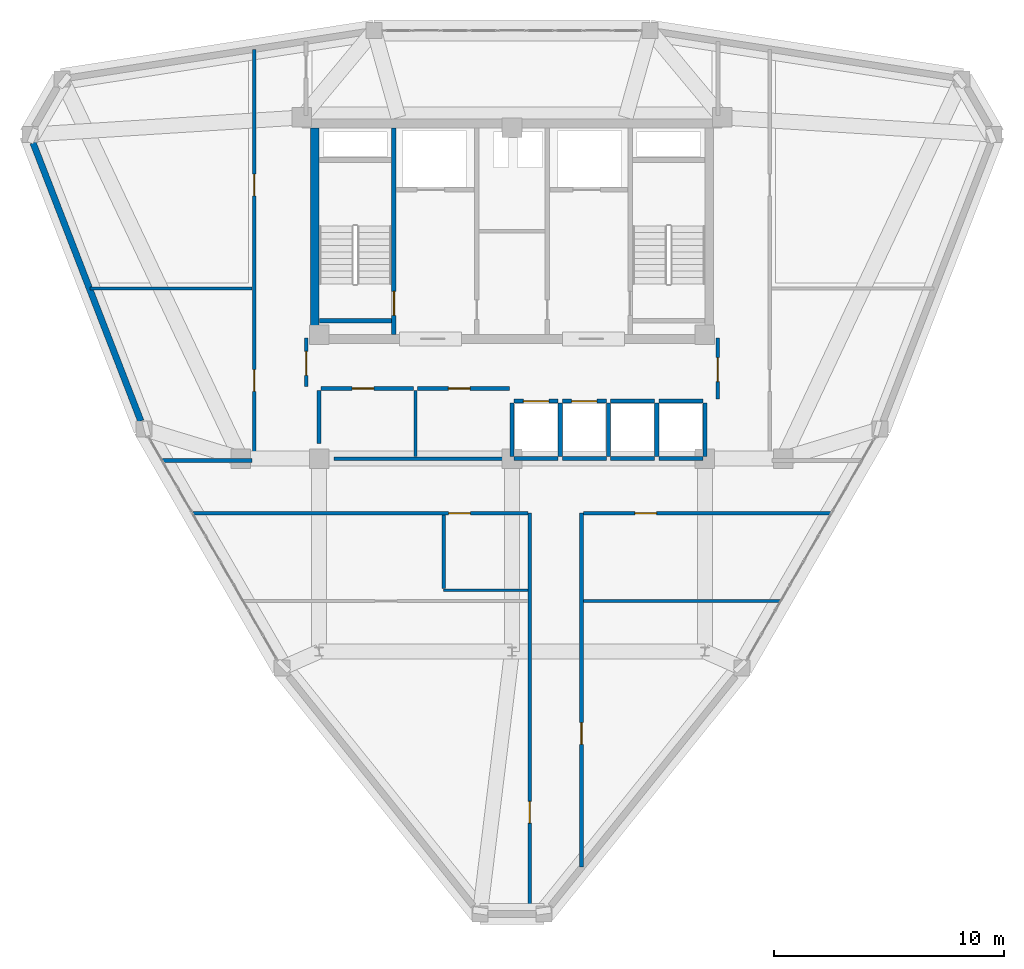
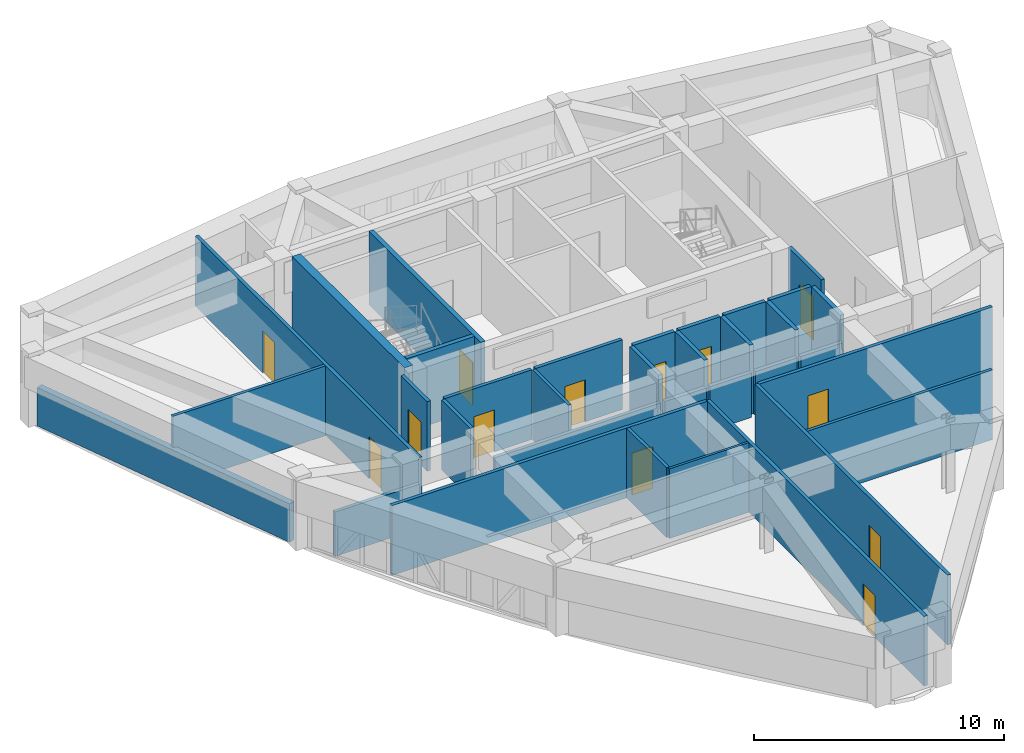
# One storey, part 13 of 15: 34 walls, 13 doors, 13 openings.
"""IFC4 building model written with IfcOpenShell, lengths in metres."""

from ifc_helpers import new_model, si_unit, derived_unit, direction, frame, frame_2d, origin, place, context, subcontext, project, spatial, rectangle, extrude, material, layer, layer_set, type_object, element, fill, save


model = new_model("IFC4")

# Units and contexts
model_context = context("Model", 3, precision=1e-05, world=origin(), true_north=direction((0.0, 1.0)))
body_context = subcontext(model_context, "Body", "Model", "MODEL_VIEW")
ifc_project = project(units=[si_unit("LENGTHUNIT", "METRE"), si_unit("AREAUNIT", "SQUARE_METRE"), si_unit("VOLUMEUNIT", "CUBIC_METRE"), si_unit("PLANEANGLEUNIT", "RADIAN"), si_unit("MASSUNIT", "GRAM", prefix="KILO"), derived_unit("THERMALTRANSMITTANCEUNIT", [(si_unit("POWERUNIT", "WATT"), 1), (si_unit("LENGTHUNIT", "METRE"), -2), (si_unit("THERMODYNAMICTEMPERATUREUNIT", "KELVIN"), -1)])], contexts=[model_context])

# Site, building, storey
site_placement = place(None, origin())
site = spatial("IfcSite", under=ifc_project, at=site_placement, CompositionType="ELEMENT")
building_placement = place(site_placement, origin())
building = spatial("IfcBuilding", under=site, at=building_placement, Name="Korsvarv Bourse and Concert Hall", CompositionType="ELEMENT")
storey_placement = place(building_placement, frame((0.0, 0.0, 250.199951171875)))
storey = spatial("IfcBuildingStorey", under=building, at=storey_placement, Name="L65", CompositionType="ELEMENT", Elevation=250.199951171875)

# Wall
ifc_material_1 = material(Name="Concrete C50/60", Category="concrete")
ifc_layer_1 = layer(ifc_material_1, 0.3798828125)
ifc_layer_set_1 = layer_set([ifc_layer_1], Name="Concrete C50/60")
wall_type_1 = type_object("IfcWallType", Name="WL-CORE-380", PredefinedType="SHEAR", material=ifc_layer_set_1)
wall_1_placement = place(storey_placement, frame((27.409912109375, 37.800048828125, 0.0), z_axis=(0.0, 0.0, 1.0), x_axis=(0.0, 1.0, 0.0)))
element("IfcWall", 1, at=wall_1_placement, inside=storey, type_object=wall_type_1, Name="L65 West Core Shear Wall", PredefinedType="SHEAR", context=body_context, shape_type="SweptSolid", body=[
    extrude(rectangle(XDim=9.0, YDim=0.3798828125, at=frame_2d((4.5, 0.0))), origin(), (0.0, 0.0, 1.0), 3.60009765625),
])

# Wall, opening, door
wall_2_placement = place(storey_placement, frame((30.860107421875, 37.81005859375, 0.0), z_axis=(0.0, 0.0, 1.0), x_axis=(0.0, 1.0, 0.0)))
wall_2 = element("IfcWall", 2, at=wall_2_placement, inside=storey, type_object=wall_type_1, Name="L65 stair shaft structural wall W-L65-ST1-E", PredefinedType="SHEAR", context=body_context, shape_type="SweptSolid", body=[
    extrude(rectangle(XDim=8.97998046875, YDim=0.199951171875, at=frame_2d((4.489990234375, 0.0))), origin(), (0.0, 0.0, 1.0), 3.60009765625),
])
opening_1_placement = place(wall_2_placement, frame((0.820068359375, 0.0, 0.0)))
opening_1 = element("IfcOpeningElement", 3, at=opening_1_placement, cuts=wall_2, Name="Opening D-01", PredefinedType="OPENING", context=body_context, shape_type="SweptSolid", body=[
    extrude(rectangle(XDim=1.050048828125, YDim=2.10009765625, at=frame_2d((0.52490234375, 1.050048828125))), frame((0.0, 0.10986328125, 0.0), z_axis=(0.0, -1.0, 0.0), x_axis=(1.0, 0.0, 0.0)), (0.0, 0.0, 1.0), 0.219970703125),
])
ifc_material_2 = material(Name="Steel S355 fire door", Category="steel")
door_type_1 = type_object("IfcDoorType", Name="DR-FD60", OperationType="NOTDEFINED", PredefinedType="DOOR", material=ifc_material_2)
door_1_placement = place(opening_1_placement, origin())
door_1 = element("IfcDoor", 4, at=door_1_placement, inside=storey, type_object=door_type_1, Name="L65 interior door DR-L65-ST1", OperationType="SINGLE_SWING_RIGHT", OverallHeight=2.10009765625, OverallWidth=1.050048828125, PredefinedType="DOOR", context=body_context, shape_type="SweptSolid", body=[
    extrude(rectangle(XDim=1.050048828125, YDim=2.10009765625, at=frame_2d((0.52490234375, 1.050048828125))), frame((0.0, 0.02490234375, 0.0), z_axis=(0.0, -1.0, 0.0), x_axis=(1.0, 0.0, 0.0)), (0.0, 0.0, 1.0), 0.050048828125),
])
fill(opening_1, door_1)

# Walls
wall_3_placement = place(storey_placement, frame((27.610107421875, 38.39990234375, 0.0), z_axis=(0.0, 0.0, 1.0), x_axis=(1.0, 0.0, 0.0)))
element("IfcWall", 5, at=wall_3_placement, inside=storey, type_object=wall_type_1, Name="L65 stair shaft structural wall W-L65-ST1-S", PredefinedType="SHEAR", context=body_context, shape_type="SweptSolid", body=[
    extrude(rectangle(XDim=3.139892578125, YDim=0.199951171875, at=frame_2d((1.56982421875, 0.0))), origin(), (0.0, 0.0, 1.0), 3.60009765625),
])
ifc_material_3 = material(Name="Precast concrete C45/55 with fluted terracotta pier", Category="concrete")
ifc_layer_2 = layer(ifc_material_3, 0.280029296875)
ifc_layer_set_2 = layer_set([ifc_layer_2], Name="Precast concrete C45/55 with fluted terracotta pier")
wall_type_2 = type_object("IfcWallType", Name="WL-EXT-TC2", PredefinedType="SOLIDWALL", material=ifc_layer_set_2)
wall_4_placement = place(storey_placement, frame((15.149658203125, 46.148681640625, 0.0), z_axis=(0.0, 0.0, 1.0), x_axis=(0.361269378379, -0.93246149317, 0.0)))
element("IfcWall", 6, at=wall_4_placement, inside=storey, type_object=wall_type_2, Name="L65 terracotta exterior wall EW-L65-B06", PredefinedType="SOLIDWALL", context=body_context, shape_type="SweptSolid", body=[
    extrude(rectangle(XDim=12.9873046875, YDim=0.280029296875, at=frame_2d((6.49365234375, 0.0))), origin(), (0.0, 0.0, 1.0), 1.880126953125),
])
ifc_material_4 = material(Name="Double-stud fire-rated acoustic partition", Category="gypsum")
ifc_layer_3 = layer(ifc_material_4, 0.159912109375)
ifc_layer_set_3 = layer_set([ifc_layer_3], Name="Double-stud fire-rated acoustic partition")
wall_type_3 = type_object("IfcWallType", Name="WL-INT-EI60", PredefinedType="PARTITIONING", material=ifc_layer_set_3)
wall_5_placement = place(storey_placement, frame((28.25, 32.39990234375, 0.0), z_axis=(0.0, 0.0, 1.0), x_axis=(1.0, 0.0, 0.0)))
element("IfcWall", 7, at=wall_5_placement, inside=storey, type_object=wall_type_3, Name="L65 interior partition wall W-L65-FRD-S", PredefinedType="PARTITIONING", context=body_context, shape_type="SweptSolid", body=[
    extrude(rectangle(XDim=7.64990234375, YDim=0.159912109375, at=frame_2d((3.824951171875, 0.0))), origin(), (0.0, 0.0, 1.0), 2.170166015625),
])
wall_6_placement = place(storey_placement, frame((27.60009765625, 33.050048828125, 0.0), z_axis=(0.0, 0.0, 1.0), x_axis=(0.0, 1.0, 0.0)))
element("IfcWall", 8, at=wall_6_placement, inside=storey, type_object=wall_type_3, Name="L65 interior partition wall W-L65-FRD-W", PredefinedType="PARTITIONING", context=body_context, shape_type="SweptSolid", body=[
    extrude(rectangle(XDim=2.31005859375, YDim=0.159912109375, at=frame_2d((1.155029296875, 0.0))), origin(), (0.0, 0.0, 1.0), 3.41015625),
])

# Wall, opening, door
wall_7_placement = place(storey_placement, frame((27.68994140625, 35.449951171875, 0.0), z_axis=(0.0, 0.0, 1.0), x_axis=(1.0, 0.0, 0.0)))
wall_7 = element("IfcWall", 9, at=wall_7_placement, inside=storey, type_object=wall_type_3, Name="L65 interior partition wall W-L65-FRD-N1", PredefinedType="PARTITIONING", context=body_context, shape_type="SweptSolid", body=[
    extrude(rectangle(XDim=4.030029296875, YDim=0.159912109375, at=frame_2d((2.01513671875, 0.0))), origin(), (0.0, 0.0, 1.0), 3.41015625),
])
opening_2_placement = place(wall_7_placement, frame((1.35009765625, 0.0, 0.0)))
opening_2 = element("IfcOpeningElement", 10, at=opening_2_placement, cuts=wall_7, Name="Opening D-03", PredefinedType="OPENING", context=body_context, shape_type="SweptSolid", body=[
    extrude(rectangle(XDim=0.949951171875, YDim=2.050048828125, at=frame_2d((0.47509765625, 1.02490234375))), frame((0.0, 0.08984375, 0.0), z_axis=(0.0, -1.0, 0.0), x_axis=(1.0, 0.0, 0.0)), (0.0, 0.0, 1.0), 0.179931640625),
])
ifc_material_5 = material(Name="Nordic oak acoustic office door", Category="wood")
door_type_2 = type_object("IfcDoorType", Name="DR-INT-1", OperationType="NOTDEFINED", PredefinedType="DOOR", material=ifc_material_5)
door_2_placement = place(opening_2_placement, origin())
door_2 = element("IfcDoor", 11, at=door_2_placement, inside=storey, type_object=door_type_2, Name="L65 interior door DR-L65-FRDN1", OperationType="SINGLE_SWING_RIGHT", OverallHeight=2.050048828125, OverallWidth=0.949951171875, PredefinedType="DOOR", context=body_context, shape_type="SweptSolid", body=[
    extrude(rectangle(XDim=0.949951171875, YDim=2.050048828125, at=frame_2d((0.47509765625, 1.02490234375))), frame((0.0, 0.02490234375, 0.0), z_axis=(0.0, -1.0, 0.0), x_axis=(1.0, 0.0, 0.0)), (0.0, 0.0, 1.0), 0.050048828125),
])
fill(opening_2, door_2)

wall_8_placement = place(storey_placement, frame((31.8798828125, 35.449951171875, 0.0), z_axis=(0.0, 0.0, 1.0), x_axis=(1.0, 0.0, 0.0)))
wall_8 = element("IfcWall", 12, at=wall_8_placement, inside=storey, type_object=wall_type_3, Name="L65 interior partition wall W-L65-FRD-N2", PredefinedType="PARTITIONING", context=body_context, shape_type="SweptSolid", body=[
    extrude(rectangle(XDim=4.02001953125, YDim=0.159912109375, at=frame_2d((2.010009765625, 0.0))), origin(), (0.0, 0.0, 1.0), 3.41015625),
])
opening_3_placement = place(wall_8_placement, frame((1.35009765625, 0.0, 0.0)))
opening_3 = element("IfcOpeningElement", 13, at=opening_3_placement, cuts=wall_8, Name="Opening D-03", PredefinedType="OPENING", context=body_context, shape_type="SweptSolid", body=[
    extrude(rectangle(XDim=0.949951171875, YDim=2.050048828125, at=frame_2d((0.47509765625, 1.02490234375))), frame((0.0, 0.08984375, 0.0), z_axis=(0.0, -1.0, 0.0), x_axis=(1.0, 0.0, 0.0)), (0.0, 0.0, 1.0), 0.179931640625),
])
door_3_placement = place(opening_3_placement, origin())
door_3 = element("IfcDoor", 14, at=door_3_placement, inside=storey, type_object=door_type_2, Name="L65 interior door DR-L65-FRDN2", OperationType="SINGLE_SWING_LEFT", OverallHeight=2.050048828125, OverallWidth=0.949951171875, PredefinedType="DOOR", context=body_context, shape_type="SweptSolid", body=[
    extrude(rectangle(XDim=0.949951171875, YDim=2.050048828125, at=frame_2d((0.47509765625, 1.02490234375))), frame((0.0, 0.02490234375, 0.0), z_axis=(0.0, -1.0, 0.0), x_axis=(1.0, 0.0, 0.0)), (0.0, 0.0, 1.0), 0.050048828125),
])
fill(opening_3, door_3)

wall_9_placement = place(storey_placement, frame((27.0400390625, 35.5400390625, 0.0), z_axis=(0.0, 0.0, 1.0), x_axis=(0.0, 1.0, 0.0)))
wall_9 = element("IfcWall", 15, at=wall_9_placement, inside=storey, type_object=wall_type_3, Name="L65 interior partition wall W-L65-LOB-WL", PredefinedType="PARTITIONING", context=body_context, shape_type="SweptSolid", body=[
    extrude(rectangle(XDim=2.10986328125, YDim=0.159912109375, at=frame_2d((1.054931640625, 0.0))), origin(), (0.0, 0.0, 1.0), 3.41015625),
])
opening_4_placement = place(wall_9_placement, frame((0.47998046875, 0.0, 0.0)))
opening_4 = element("IfcOpeningElement", 16, at=opening_4_placement, cuts=wall_9, Name="Opening D-01", PredefinedType="OPENING", context=body_context, shape_type="SweptSolid", body=[
    extrude(rectangle(XDim=1.050048828125, YDim=2.10009765625, at=frame_2d((0.52490234375, 1.050048828125))), frame((0.0, 0.08984375, 0.0), z_axis=(0.0, -1.0, 0.0), x_axis=(1.0, 0.0, 0.0)), (0.0, 0.0, 1.0), 0.179931640625),
])
door_4_placement = place(opening_4_placement, frame((1.050048828125, 0.0, 0.0), z_axis=(0.0, 0.0, 1.0), x_axis=(-1.0, 0.0, 0.0)))
door_4 = element("IfcDoor", 17, at=door_4_placement, inside=storey, type_object=door_type_1, Name="L65 interior door DR-L65-LOBW", OperationType="SINGLE_SWING_RIGHT", OverallHeight=2.10009765625, OverallWidth=1.050048828125, PredefinedType="DOOR", context=body_context, shape_type="SweptSolid", body=[
    extrude(rectangle(XDim=1.050048828125, YDim=2.10009765625, at=frame_2d((0.52490234375, 1.050048828125))), frame((0.0, 0.02490234375, 0.0), z_axis=(0.0, -1.0, 0.0), x_axis=(1.0, 0.0, 0.0)), (0.0, 0.0, 1.0), 0.050048828125),
])
fill(opening_4, door_4)

wall_10_placement = place(storey_placement, frame((44.9599609375, 35.0, 0.0), z_axis=(0.0, 0.0, 1.0), x_axis=(0.0, 1.0, 0.0)))
wall_10 = element("IfcWall", 18, at=wall_10_placement, inside=storey, type_object=wall_type_3, Name="L65 interior partition wall W-L65-LOB-E", PredefinedType="PARTITIONING", context=body_context, shape_type="SweptSolid", body=[
    extrude(rectangle(XDim=2.64990234375, YDim=0.159912109375, at=frame_2d((1.324951171875, 0.0))), origin(), (0.0, 0.0, 1.0), 3.41015625),
])
opening_5_placement = place(wall_10_placement, frame((0.75, 0.0, 0.0)))
opening_5 = element("IfcOpeningElement", 19, at=opening_5_placement, cuts=wall_10, Name="Opening D-01", PredefinedType="OPENING", context=body_context, shape_type="SweptSolid", body=[
    extrude(rectangle(XDim=1.050048828125, YDim=2.10009765625, at=frame_2d((0.52490234375, 1.050048828125))), frame((0.0, 0.08984375, 0.0), z_axis=(0.0, -1.0, 0.0), x_axis=(1.0, 0.0, 0.0)), (0.0, 0.0, 1.0), 0.179931640625),
])
door_5_placement = place(opening_5_placement, origin())
door_5 = element("IfcDoor", 20, at=door_5_placement, inside=storey, type_object=door_type_1, Name="L65 interior door DR-L65-LOBE", OperationType="SINGLE_SWING_LEFT", OverallHeight=2.10009765625, OverallWidth=1.050048828125, PredefinedType="DOOR", context=body_context, shape_type="SweptSolid", body=[
    extrude(rectangle(XDim=1.050048828125, YDim=2.10009765625, at=frame_2d((0.52490234375, 1.050048828125))), frame((0.0, 0.02490234375, 0.0), z_axis=(0.0, -1.0, 0.0), x_axis=(1.0, 0.0, 0.0)), (0.0, 0.0, 1.0), 0.050048828125),
])
fill(opening_5, door_5)

# Wall, openings, doors
wall_11_placement = place(storey_placement, frame((24.77490234375, 32.31005859375, 0.0), z_axis=(0.0, 0.0, 1.0), x_axis=(0.0, 1.0, 0.0)))
wall_11 = element("IfcWall", 21, at=wall_11_placement, inside=storey, type_object=wall_type_3, Name="L65 interior partition wall W-L65-TCOR-02", PredefinedType="PARTITIONING", context=body_context, shape_type="SweptSolid", body=[
    extrude(rectangle(XDim=17.892333984375, YDim=0.159912109375, at=frame_2d((8.9462890625, 0.0))), origin(), (0.0, 0.0, 1.0), 3.41015625),
])
opening_6_placement = place(wall_11_placement, frame((3.01416015625, 0.0, 0.0)))
opening_6 = element("IfcOpeningElement", 22, at=opening_6_placement, cuts=wall_11, Name="Opening D-02", PredefinedType="OPENING", context=body_context, shape_type="SweptSolid", body=[
    extrude(rectangle(XDim=0.949951171875, YDim=2.050048828125, at=frame_2d((0.47509765625, 1.02490234375))), frame((0.0, 0.08984375, 0.0), z_axis=(0.0, -1.0, 0.0), x_axis=(1.0, 0.0, 0.0)), (0.0, 0.0, 1.0), 0.179931640625),
])
opening_7_placement = place(wall_11_placement, frame((11.52392578125, 0.0, 0.0)))
opening_7 = element("IfcOpeningElement", 23, at=opening_7_placement, cuts=wall_11, Name="Opening D-02", PredefinedType="OPENING", context=body_context, shape_type="SweptSolid", body=[
    extrude(rectangle(XDim=0.949951171875, YDim=2.050048828125, at=frame_2d((0.47509765625, 1.02490234375))), frame((0.0, 0.08984375, 0.0), z_axis=(0.0, -1.0, 0.0), x_axis=(1.0, 0.0, 0.0)), (0.0, 0.0, 1.0), 0.179931640625),
])
ifc_material_6 = material(Name="Timber and steel acoustic fire door", Category="wood")
door_type_3 = type_object("IfcDoorType", Name="DR-FD30", OperationType="NOTDEFINED", PredefinedType="DOOR", material=ifc_material_6)
door_6_placement = place(opening_6_placement, origin())
door_6 = element("IfcDoor", 24, at=door_6_placement, inside=storey, type_object=door_type_3, Name="L65 interior door DR-L65-TCOR-GB18", OperationType="SINGLE_SWING_RIGHT", OverallHeight=2.050048828125, OverallWidth=0.949951171875, PredefinedType="DOOR", context=body_context, shape_type="SweptSolid", body=[
    extrude(rectangle(XDim=0.949951171875, YDim=2.050048828125, at=frame_2d((0.47509765625, 1.02490234375))), frame((0.0, 0.02490234375, 0.0), z_axis=(0.0, -1.0, 0.0), x_axis=(1.0, 0.0, 0.0)), (0.0, 0.0, 1.0), 0.050048828125),
])
fill(opening_6, door_6)
door_7_placement = place(opening_7_placement, origin())
door_7 = element("IfcDoor", 25, at=door_7_placement, inside=storey, type_object=door_type_3, Name="L65 interior door DR-L65-TCOR-GB29", OperationType="SINGLE_SWING_LEFT", OverallHeight=2.050048828125, OverallWidth=0.949951171875, PredefinedType="DOOR", context=body_context, shape_type="SweptSolid", body=[
    extrude(rectangle(XDim=0.949951171875, YDim=2.050048828125, at=frame_2d((0.47509765625, 1.02490234375))), frame((0.0, 0.02490234375, 0.0), z_axis=(0.0, -1.0, 0.0), x_axis=(1.0, 0.0, 0.0)), (0.0, 0.0, 1.0), 0.050048828125),
])
fill(opening_7, door_7)

# Wall, opening, door
wall_12_placement = place(storey_placement, frame((36.77490234375, 12.59228515625, 0.0), z_axis=(0.0, 0.0, 1.0), x_axis=(0.0, 1.0, 0.0)))
wall_12 = element("IfcWall", 26, at=wall_12_placement, inside=storey, type_object=wall_type_3, Name="L65 interior partition wall W-L65-TCOR-03", PredefinedType="PARTITIONING", context=body_context, shape_type="SweptSolid", body=[
    extrude(rectangle(XDim=17.437744140625, YDim=0.159912109375, at=frame_2d((8.71875, 0.0))), origin(), (0.0, 0.0, 1.0), 3.41015625),
])
opening_8_placement = place(wall_12_placement, frame((3.93701171875, 0.0, 0.0)))
opening_8 = element("IfcOpeningElement", 27, at=opening_8_placement, cuts=wall_12, Name="Opening D-02", PredefinedType="OPENING", context=body_context, shape_type="SweptSolid", body=[
    extrude(rectangle(XDim=0.949951171875, YDim=2.050048828125, at=frame_2d((0.47509765625, 1.02490234375))), frame((0.0, 0.08984375, 0.0), z_axis=(0.0, -1.0, 0.0), x_axis=(1.0, 0.0, 0.0)), (0.0, 0.0, 1.0), 0.179931640625),
])
door_8_placement = place(opening_8_placement, origin())
door_8 = element("IfcDoor", 28, at=door_8_placement, inside=storey, type_object=door_type_3, Name="L65 interior door DR-L65-TCOR-GSW6", OperationType="SINGLE_SWING_RIGHT", OverallHeight=2.050048828125, OverallWidth=0.949951171875, PredefinedType="DOOR", context=body_context, shape_type="SweptSolid", body=[
    extrude(rectangle(XDim=0.949951171875, YDim=2.050048828125, at=frame_2d((0.47509765625, 1.02490234375))), frame((0.0, 0.02490234375, 0.0), z_axis=(0.0, -1.0, 0.0), x_axis=(1.0, 0.0, 0.0)), (0.0, 0.0, 1.0), 0.050048828125),
])
fill(opening_8, door_8)

wall_13_placement = place(storey_placement, frame((39.02490234375, 14.614990234375, 0.0), z_axis=(0.0, 0.0, 1.0), x_axis=(0.0, 1.0, 0.0)))
wall_13 = element("IfcWall", 29, at=wall_13_placement, inside=storey, type_object=wall_type_3, Name="L65 interior partition wall W-L65-TCOR-04", PredefinedType="PARTITIONING", context=body_context, shape_type="SweptSolid", body=[
    extrude(rectangle(XDim=15.4150390625, YDim=0.159912109375, at=frame_2d((7.70751953125, 0.0))), origin(), (0.0, 0.0, 1.0), 3.41015625),
])
opening_9_placement = place(wall_13_placement, frame((5.3408203125, 0.0, 0.0)))
opening_9 = element("IfcOpeningElement", 30, at=opening_9_placement, cuts=wall_13, Name="Opening D-02", PredefinedType="OPENING", context=body_context, shape_type="SweptSolid", body=[
    extrude(rectangle(XDim=0.949951171875, YDim=2.050048828125, at=frame_2d((0.47509765625, 1.02490234375))), frame((0.0, 0.08984375, 0.0), z_axis=(0.0, -1.0, 0.0), x_axis=(1.0, 0.0, 0.0)), (0.0, 0.0, 1.0), 0.179931640625),
])
door_9_placement = place(opening_9_placement, origin())
door_9 = element("IfcDoor", 31, at=door_9_placement, inside=storey, type_object=door_type_3, Name="L65 interior door DR-L65-TCOR-GSE3", OperationType="SINGLE_SWING_LEFT", OverallHeight=2.050048828125, OverallWidth=0.949951171875, PredefinedType="DOOR", context=body_context, shape_type="SweptSolid", body=[
    extrude(rectangle(XDim=0.949951171875, YDim=2.050048828125, at=frame_2d((0.47509765625, 1.02490234375))), frame((0.0, 0.02490234375, 0.0), z_axis=(0.0, -1.0, 0.0), x_axis=(1.0, 0.0, 0.0)), (0.0, 0.0, 1.0), 0.050048828125),
])
fill(opening_9, door_9)

wall_14_placement = place(storey_placement, frame((22.111328125, 30.02490234375, 0.0), z_axis=(0.0, 0.0, 1.0), x_axis=(1.0, 0.0, 0.0)))
wall_14 = element("IfcWall", 32, at=wall_14_placement, inside=storey, type_object=wall_type_3, Name="L65 interior partition wall W-L65-TCOR-05", PredefinedType="PARTITIONING", context=body_context, shape_type="SweptSolid", body=[
    extrude(rectangle(XDim=14.581787109375, YDim=0.159912109375, at=frame_2d((7.291015625, 0.0))), origin(), (0.0, 0.0, 1.0), 3.41015625),
])
opening_10_placement = place(wall_14_placement, frame((11.128662109375, 0.0, 0.0)))
opening_10 = element("IfcOpeningElement", 33, at=opening_10_placement, cuts=wall_14, Name="Opening D-02", PredefinedType="OPENING", context=body_context, shape_type="SweptSolid", body=[
    extrude(rectangle(XDim=0.949951171875, YDim=2.050048828125, at=frame_2d((0.47509765625, 1.02490234375))), frame((0.0, 0.08984375, 0.0), z_axis=(0.0, -1.0, 0.0), x_axis=(1.0, 0.0, 0.0)), (0.0, 0.0, 1.0), 0.179931640625),
])
door_10_placement = place(opening_10_placement, origin())
door_10 = element("IfcDoor", 34, at=door_10_placement, inside=storey, type_object=door_type_3, Name="L65 interior door DR-L65-TCOR-RWC", OperationType="SINGLE_SWING_RIGHT", OverallHeight=2.050048828125, OverallWidth=0.949951171875, PredefinedType="DOOR", context=body_context, shape_type="SweptSolid", body=[
    extrude(rectangle(XDim=0.949951171875, YDim=2.050048828125, at=frame_2d((0.47509765625, 1.02490234375))), frame((0.0, 0.02490234375, 0.0), z_axis=(0.0, -1.0, 0.0), x_axis=(1.0, 0.0, 0.0)), (0.0, 0.0, 1.0), 0.050048828125),
])
fill(opening_10, door_10)

wall_15_placement = place(storey_placement, frame((39.10693359375, 30.02490234375, 0.0), z_axis=(0.0, 0.0, 1.0), x_axis=(1.0, 0.0, 0.0)))
wall_15 = element("IfcWall", 35, at=wall_15_placement, inside=storey, type_object=wall_type_3, Name="L65 interior partition wall W-L65-TCOR-06", PredefinedType="PARTITIONING", context=body_context, shape_type="SweptSolid", body=[
    extrude(rectangle(XDim=10.78173828125, YDim=0.159912109375, at=frame_2d((5.390869140625, 0.0))), origin(), (0.0, 0.0, 1.0), 3.41015625),
])
opening_11_placement = place(wall_15_placement, frame((2.23779296875, 0.0, 0.0)))
opening_11 = element("IfcOpeningElement", 36, at=opening_11_placement, cuts=wall_15, Name="Opening D-02", PredefinedType="OPENING", context=body_context, shape_type="SweptSolid", body=[
    extrude(rectangle(XDim=0.949951171875, YDim=2.050048828125, at=frame_2d((0.47509765625, 1.02490234375))), frame((0.0, 0.08984375, 0.0), z_axis=(0.0, -1.0, 0.0), x_axis=(1.0, 0.0, 0.0)), (0.0, 0.0, 1.0), 0.179931640625),
])
door_11_placement = place(opening_11_placement, origin())
door_11 = element("IfcDoor", 37, at=door_11_placement, inside=storey, type_object=door_type_3, Name="L65 interior door DR-L65-TCOR-GDN4", OperationType="SINGLE_SWING_LEFT", OverallHeight=2.050048828125, OverallWidth=0.949951171875, PredefinedType="DOOR", context=body_context, shape_type="SweptSolid", body=[
    extrude(rectangle(XDim=0.949951171875, YDim=2.050048828125, at=frame_2d((0.47509765625, 1.02490234375))), frame((0.0, 0.02490234375, 0.0), z_axis=(0.0, -1.0, 0.0), x_axis=(1.0, 0.0, 0.0)), (0.0, 0.0, 1.0), 0.050048828125),
])
fill(opening_11, door_11)

# Wall
wall_16_placement = place(storey_placement, frame((20.789306640625, 32.31494140625, 0.0), z_axis=(0.0, 0.0, 1.0), x_axis=(1.0, 0.0, 0.0)))
element("IfcWall", 38, at=wall_16_placement, inside=storey, type_object=wall_type_3, Name="L65 interior partition wall W-L65-TCOR-07", PredefinedType="PARTITIONING", context=body_context, shape_type="SweptSolid", body=[
    extrude(rectangle(XDim=3.90380859375, YDim=0.159912109375, at=frame_2d((1.951904296875, 0.0))), origin(), (0.0, 0.0, 1.0), 2.170166015625),
])

# Wall, opening, door
ifc_material_7 = material(Name="Gypsum-clad autoclaved concrete shaft wall C30/37", Category="concrete")
ifc_layer_4 = layer(ifc_material_7, 0.179931640625)
ifc_layer_set_4 = layer_set([ifc_layer_4], Name="Gypsum-clad autoclaved concrete shaft wall C30/37")
wall_type_4 = type_object("IfcWallType", Name="WL-INT-EI90", PredefinedType="PARTITIONING", material=ifc_layer_set_4)
wall_17_placement = place(storey_placement, frame((36.090087890625, 34.89990234375, 0.0), z_axis=(0.0, 0.0, 1.0), x_axis=(1.0, 0.0, 0.0)))
wall_17 = element("IfcWall", 39, at=wall_17_placement, inside=storey, type_object=wall_type_4, Name="L65 interior partition wall W-L65-SHFN-PH1", PredefinedType="PARTITIONING", context=body_context, shape_type="SweptSolid", body=[
    extrude(rectangle(XDim=1.919921875, YDim=0.179931640625, at=frame_2d((0.9599609375, 0.0))), origin(), (0.0, 0.0, 1.0), 3.41015625),
])
opening_12_placement = place(wall_17_placement, frame((0.409912109375, 0.0, 0.0)))
opening_12 = element("IfcOpeningElement", 40, at=opening_12_placement, cuts=wall_17, Name="Opening LD-2", PredefinedType="OPENING", context=body_context, shape_type="SweptSolid", body=[
    extrude(rectangle(XDim=1.10009765625, YDim=2.10009765625, at=frame_2d((0.550048828125, 1.050048828125))), frame((0.0, 0.10009765625, 0.0), z_axis=(0.0, -1.0, 0.0), x_axis=(1.0, 0.0, 0.0)), (0.0, 0.0, 1.0), 0.199951171875),
])
ifc_material_8 = material(Name="Brushed stainless Steel S355 lift landing door", Category="steel")
door_type_4 = type_object("IfcDoorType", Name="DR-LIFT-P", OperationType="DOUBLE_DOOR_SLIDING", PredefinedType="DOOR", material=ifc_material_8)
door_12_placement = place(opening_12_placement, origin())
door_12 = element("IfcDoor", 41, at=door_12_placement, inside=storey, type_object=door_type_4, Name="L65 lift sliding landing door LD-L65-PH1", OperationType="DOUBLE_DOOR_SLIDING", OverallHeight=2.10009765625, OverallWidth=1.10009765625, PredefinedType="DOOR", context=body_context, shape_type="SweptSolid", body=[
    extrude(rectangle(XDim=1.10009765625, YDim=2.10009765625, at=frame_2d((0.550048828125, 1.050048828125))), frame((0.0, 0.02490234375, 0.0), z_axis=(0.0, -1.0, 0.0), x_axis=(1.0, 0.0, 0.0)), (0.0, 0.0, 1.0), 0.050048828125),
])
fill(opening_12, door_12)

# Walls
wall_18_placement = place(storey_placement, frame((36.090087890625, 32.39990234375, 0.0), z_axis=(0.0, 0.0, 1.0), x_axis=(1.0, 0.0, 0.0)))
element("IfcWall", 42, at=wall_18_placement, inside=storey, type_object=wall_type_4, Name="L65 interior partition wall W-L65-SHFS-PH1", PredefinedType="PARTITIONING", context=body_context, shape_type="SweptSolid", body=[
    extrude(rectangle(XDim=1.919921875, YDim=0.179931640625, at=frame_2d((0.9599609375, 0.0))), origin(), (0.0, 0.0, 1.0), 2.170166015625),
])
wall_19_placement = place(storey_placement, frame((36.0, 32.489990234375, 0.0), z_axis=(0.0, 0.0, 1.0), x_axis=(0.0, 1.0, 0.0)))
element("IfcWall", 43, at=wall_19_placement, inside=storey, type_object=wall_type_4, Name="L65 interior partition wall W-L65-SHFW-PH1", PredefinedType="PARTITIONING", context=body_context, shape_type="SweptSolid", body=[
    extrude(rectangle(XDim=2.320068359375, YDim=0.179931640625, at=frame_2d((1.16015625, 0.0))), origin(), (0.0, 0.0, 1.0), 3.41015625),
])

# Wall, opening, door
wall_20_placement = place(storey_placement, frame((38.18994140625, 34.89990234375, 0.0), z_axis=(0.0, 0.0, 1.0), x_axis=(1.0, 0.0, 0.0)))
wall_20 = element("IfcWall", 44, at=wall_20_placement, inside=storey, type_object=wall_type_4, Name="L65 interior partition wall W-L65-SHFN-PH2", PredefinedType="PARTITIONING", context=body_context, shape_type="SweptSolid", body=[
    extrude(rectangle(XDim=1.920166015625, YDim=0.179931640625, at=frame_2d((0.9599609375, 0.0))), origin(), (0.0, 0.0, 1.0), 3.41015625),
])
opening_13_placement = place(wall_20_placement, frame((0.409912109375, 0.0, 0.0)))
opening_13 = element("IfcOpeningElement", 45, at=opening_13_placement, cuts=wall_20, Name="Opening LD-2", PredefinedType="OPENING", context=body_context, shape_type="SweptSolid", body=[
    extrude(rectangle(XDim=1.10009765625, YDim=2.10009765625, at=frame_2d((0.550048828125, 1.050048828125))), frame((0.0, 0.10009765625, 0.0), z_axis=(0.0, -1.0, 0.0), x_axis=(1.0, 0.0, 0.0)), (0.0, 0.0, 1.0), 0.199951171875),
])
door_13_placement = place(opening_13_placement, origin())
door_13 = element("IfcDoor", 46, at=door_13_placement, inside=storey, type_object=door_type_4, Name="L65 lift sliding landing door LD-L65-PH2", OperationType="DOUBLE_DOOR_SLIDING", OverallHeight=2.10009765625, OverallWidth=1.10009765625, PredefinedType="DOOR", context=body_context, shape_type="SweptSolid", body=[
    extrude(rectangle(XDim=1.10009765625, YDim=2.10009765625, at=frame_2d((0.550048828125, 1.050048828125))), frame((0.0, 0.02490234375, 0.0), z_axis=(0.0, -1.0, 0.0), x_axis=(1.0, 0.0, 0.0)), (0.0, 0.0, 1.0), 0.050048828125),
])
fill(opening_13, door_13)

# Walls
wall_21_placement = place(storey_placement, frame((38.18994140625, 32.39990234375, 0.0), z_axis=(0.0, 0.0, 1.0), x_axis=(1.0, 0.0, 0.0)))
element("IfcWall", 47, at=wall_21_placement, inside=storey, type_object=wall_type_4, Name="L65 interior partition wall W-L65-SHFS-PH2", PredefinedType="PARTITIONING", context=body_context, shape_type="SweptSolid", body=[
    extrude(rectangle(XDim=1.920166015625, YDim=0.179931640625, at=frame_2d((0.9599609375, 0.0))), origin(), (0.0, 0.0, 1.0), 2.170166015625),
])
wall_22_placement = place(storey_placement, frame((38.10009765625, 32.489990234375, 0.0), z_axis=(0.0, 0.0, 1.0), x_axis=(0.0, 1.0, 0.0)))
element("IfcWall", 48, at=wall_22_placement, inside=storey, type_object=wall_type_4, Name="L65 interior partition wall W-L65-SHFW-PH2", PredefinedType="PARTITIONING", context=body_context, shape_type="SweptSolid", body=[
    extrude(rectangle(XDim=2.320068359375, YDim=0.179931640625, at=frame_2d((1.16015625, 0.0))), origin(), (0.0, 0.0, 1.0), 3.41015625),
])
wall_23_placement = place(storey_placement, frame((40.2900390625, 34.89990234375, 0.0), z_axis=(0.0, 0.0, 1.0), x_axis=(1.0, 0.0, 0.0)))
element("IfcWall", 49, at=wall_23_placement, inside=storey, type_object=wall_type_4, Name="L65 interior partition wall W-L65-SHFN-PO1", PredefinedType="PARTITIONING", context=body_context, shape_type="SweptSolid", body=[
    extrude(rectangle(XDim=1.919921875, YDim=0.179931640625, at=frame_2d((0.9599609375, 0.0))), origin(), (0.0, 0.0, 1.0), 3.41015625),
])
wall_24_placement = place(storey_placement, frame((40.2900390625, 32.39990234375, 0.0), z_axis=(0.0, 0.0, 1.0), x_axis=(1.0, 0.0, 0.0)))
element("IfcWall", 50, at=wall_24_placement, inside=storey, type_object=wall_type_4, Name="L65 interior partition wall W-L65-SHFS-PO1", PredefinedType="PARTITIONING", context=body_context, shape_type="SweptSolid", body=[
    extrude(rectangle(XDim=1.919921875, YDim=0.179931640625, at=frame_2d((0.9599609375, 0.0))), origin(), (0.0, 0.0, 1.0), 2.170166015625),
])
wall_25_placement = place(storey_placement, frame((40.199951171875, 32.489990234375, 0.0), z_axis=(0.0, 0.0, 1.0), x_axis=(0.0, 1.0, 0.0)))
element("IfcWall", 51, at=wall_25_placement, inside=storey, type_object=wall_type_4, Name="L65 interior partition wall W-L65-SHFW-PO1", PredefinedType="PARTITIONING", context=body_context, shape_type="SweptSolid", body=[
    extrude(rectangle(XDim=2.320068359375, YDim=0.179931640625, at=frame_2d((1.16015625, 0.0))), origin(), (0.0, 0.0, 1.0), 3.41015625),
])
wall_26_placement = place(storey_placement, frame((42.389892578125, 34.89990234375, 0.0), z_axis=(0.0, 0.0, 1.0), x_axis=(1.0, 0.0, 0.0)))
element("IfcWall", 52, at=wall_26_placement, inside=storey, type_object=wall_type_4, Name="L65 interior partition wall W-L65-SHFN-PO2", PredefinedType="PARTITIONING", context=body_context, shape_type="SweptSolid", body=[
    extrude(rectangle(XDim=1.920166015625, YDim=0.179931640625, at=frame_2d((0.9599609375, 0.0))), origin(), (0.0, 0.0, 1.0), 3.41015625),
])
wall_27_placement = place(storey_placement, frame((42.389892578125, 32.39990234375, 0.0), z_axis=(0.0, 0.0, 1.0), x_axis=(1.0, 0.0, 0.0)))
element("IfcWall", 53, at=wall_27_placement, inside=storey, type_object=wall_type_4, Name="L65 interior partition wall W-L65-SHFS-PO2", PredefinedType="PARTITIONING", context=body_context, shape_type="SweptSolid", body=[
    extrude(rectangle(XDim=1.920166015625, YDim=0.179931640625, at=frame_2d((0.9599609375, 0.0))), origin(), (0.0, 0.0, 1.0), 2.170166015625),
])
for number, where, z_axis, x_axis, name in (
    (54, (42.300048828125, 32.489990234375, 0.0), (0.0, 0.0, 1.0), (0.0, 1.0, 0.0), "L65 interior partition wall W-L65-SHFW-PO2"),
    (55, (44.39990234375, 32.489990234375, 0.0), (0.0, 0.0, 1.0), (0.0, 1.0, 0.0), "L65 interior partition wall W-L65-SHFE-END"),
):
    element("IfcWall", number, at=place(storey_placement, frame(where, z_axis=z_axis, x_axis=x_axis)), inside=storey, type_object=wall_type_4, Name=name, PredefinedType="PARTITIONING", context=body_context, shape_type="SweptSolid", body=[
        extrude(rectangle(XDim=2.320068359375, YDim=0.179931640625, at=frame_2d((1.16015625, 0.0))), origin(), (0.0, 0.0, 1.0), 3.41015625),
    ])
ifc_material_9 = material(Name="Demountable acoustic glass and aluminium dealing partition", Category="aluminium")
ifc_layer_5 = layer(ifc_material_9, 0.110107421875)
ifc_layer_set_5 = layer_set([ifc_layer_5], Name="Demountable acoustic glass and aluminium dealing partition")
wall_type_5 = type_object("IfcWallType", Name="WL-INT-MOV", PredefinedType="MOVABLE", material=ifc_layer_set_5)
wall_28_placement = place(storey_placement, frame((33.02001953125, 26.675048828125, 0.0), z_axis=(0.0, 0.0, 1.0), x_axis=(1.0, 0.0, 0.0)))
element("IfcWall", 56, at=wall_28_placement, inside=storey, type_object=wall_type_5, Name="L65 interior partition wall W-L65-TCOR-15", PredefinedType="MOVABLE", context=body_context, shape_type="SweptSolid", body=[
    extrude(rectangle(XDim=3.673095703125, YDim=0.110107421875, at=frame_2d((1.83642578125, 0.0))), origin(), (0.0, 0.0, 1.0), 3.41015625),
])
ifc_material_10 = material(Name="Insulated steel-stud office acoustic partition", Category="gypsum")
ifc_layer_6 = layer(ifc_material_10, 0.139892578125)
ifc_layer_set_6 = layer_set([ifc_layer_6], Name="Insulated steel-stud office acoustic partition")
wall_type_6 = type_object("IfcWallType", Name="WL-INT-P1", PredefinedType="PARTITIONING", material=ifc_layer_set_6)
wall_29_placement = place(storey_placement, frame((31.800048828125, 32.489990234375, 0.0), z_axis=(0.0, 0.0, 1.0), x_axis=(0.0, 1.0, 0.0)))
element("IfcWall", 57, at=wall_29_placement, inside=storey, type_object=wall_type_6, Name="L65 interior partition wall W-L65-FRD-V", PredefinedType="PARTITIONING", context=body_context, shape_type="SweptSolid", body=[
    extrude(rectangle(XDim=2.8701171875, YDim=0.139892578125, at=frame_2d((1.43505859375, 0.0))), origin(), (0.0, 0.0, 1.0), 3.41015625),
])
wall_30_placement = place(storey_placement, frame((39.10693359375, 26.205078125, 0.0), z_axis=(0.0, 0.0, 1.0), x_axis=(1.0, 0.0, 0.0)))
element("IfcWall", 58, at=wall_30_placement, inside=storey, type_object=wall_type_6, Name="L65 interior partition wall W-L65-TCOR-12", PredefinedType="PARTITIONING", context=body_context, shape_type="SweptSolid", body=[
    extrude(rectangle(XDim=8.576171875, YDim=0.139892578125, at=frame_2d((4.2880859375, 0.0))), origin(), (0.0, 0.0, 1.0), 3.41015625),
])
wall_31_placement = place(storey_placement, frame((17.62744140625, 39.804931640625, 0.0), z_axis=(0.0, 0.0, 1.0), x_axis=(1.0, 0.0, 0.0)))
element("IfcWall", 59, at=wall_31_placement, inside=storey, type_object=wall_type_6, Name="L65 interior partition wall W-L65-TCOR-13", PredefinedType="PARTITIONING", context=body_context, shape_type="SweptSolid", body=[
    extrude(rectangle(XDim=7.065673828125, YDim=0.139892578125, at=frame_2d((3.53271484375, 0.0))), origin(), (0.0, 0.0, 1.0), 3.41015625),
])
wall_32_placement = place(storey_placement, frame((33.02490234375, 26.7470703125, 0.0), z_axis=(0.0, 0.0, 1.0), x_axis=(0.0, 1.0, 0.0)))
element("IfcWall", 60, at=wall_32_placement, inside=storey, type_object=wall_type_6, Name="L65 interior partition wall W-L65-TCOR-16", PredefinedType="PARTITIONING", context=body_context, shape_type="SweptSolid", body=[
    extrude(rectangle(XDim=3.196044921875, YDim=0.139892578125, at=frame_2d((1.59814453125, 0.0))), origin(), (0.0, 0.0, 1.0), 3.41015625),
])

save(model, "model.ifc")
